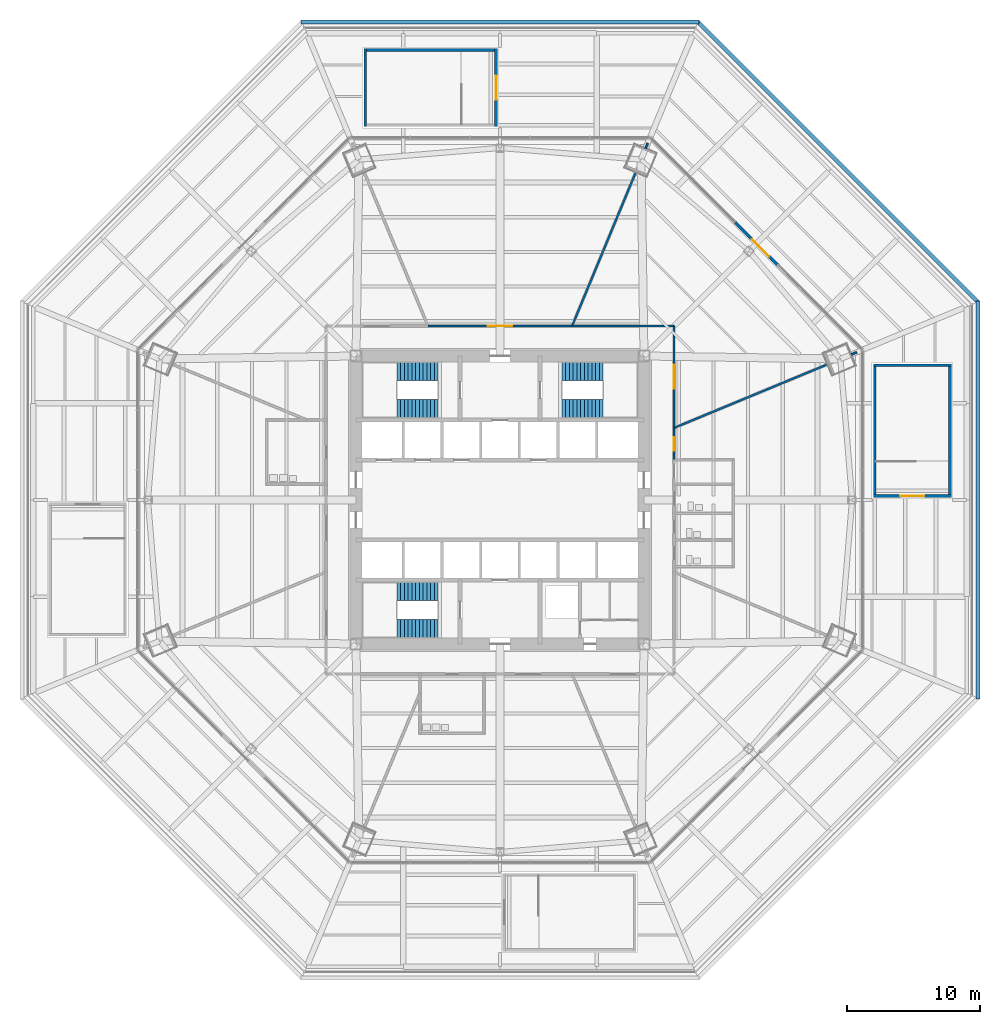
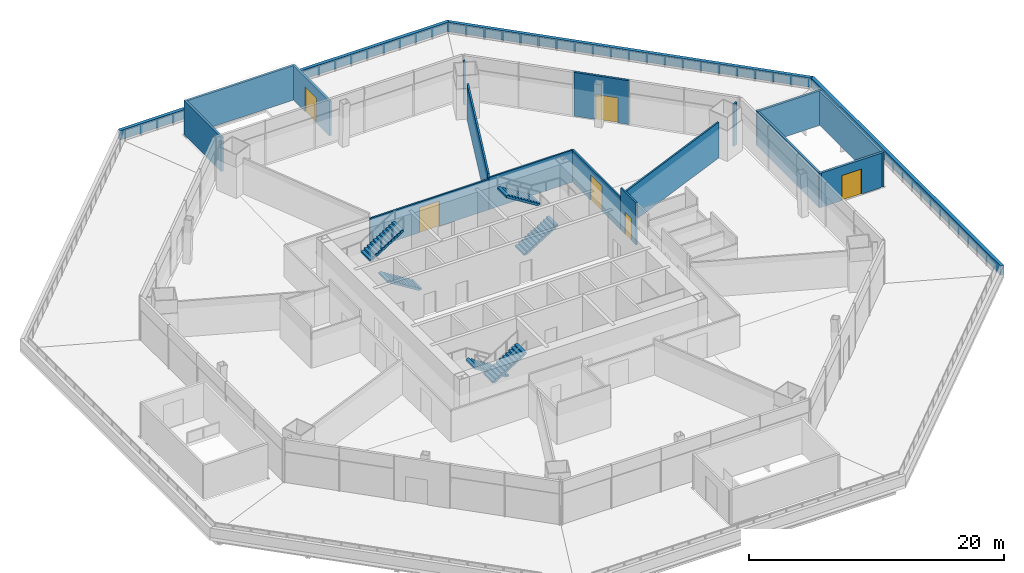
# One storey, part 18 of 25: 19 walls, 6 doors, 6 stair flights, 6 openings, 3 elements without a shape of their own.
"""IFC4 building model written with IfcOpenShell, lengths in metres."""

from ifc_helpers import new_model, si_unit, direction, frame, frame_2d, origin, place, context, subcontext, project, spatial, polyline, rectangle, outline, extrude, material, layer, layer_set, type_object, element, fill, aggregate, save


model = new_model("IFC4")

# Units and contexts
model_context = context("Model", 3, precision=1e-05, world=origin(), true_north=direction((0.0, 1.0)))
body_context = subcontext(model_context, "Body", "Model", "MODEL_VIEW")
ifc_project = project(units=[si_unit("LENGTHUNIT", "METRE"), si_unit("AREAUNIT", "SQUARE_METRE"), si_unit("VOLUMEUNIT", "CUBIC_METRE"), si_unit("PLANEANGLEUNIT", "RADIAN"), si_unit("MASSUNIT", "GRAM", prefix="KILO")], contexts=[model_context])

# Site, building, storey
site_placement = place(None, origin())
site = spatial("IfcSite", under=ifc_project, at=site_placement, CompositionType="ELEMENT")
building_placement = place(site_placement, origin())
building = spatial("IfcBuilding", under=site, at=building_placement, Name="Mashrafa Tower", CompositionType="ELEMENT")
storey_placement = place(building_placement, frame((0.0, 0.0, 28.800048828125)))
storey = spatial("IfcBuildingStorey", under=building, at=storey_placement, Name="L05", CompositionType="ELEMENT", Elevation=28.800048828125)

# Wall, opening, door
ifc_material_1 = material(Name="Gypsum board on steel studs", Category="steel")
ifc_layer_1 = layer(ifc_material_1, 0.14990234375)
ifc_layer_set_1 = layer_set([ifc_layer_1], Name="Corridor partition 150 1 hr")
wall_type_1 = type_object("IfcWallType", Name="Corridor partition 150 1 hr", PredefinedType="PARTITIONING", material=ifc_layer_set_1)
wall_1_placement = place(storey_placement, frame((13.050048828125, 2.9990234375, 0.0), z_axis=(0.0, 0.0, 1.0), x_axis=(0.0, 1.0, 0.0)))
wall_1 = element("IfcWall", 1, at=wall_1_placement, inside=storey, type_object=wall_type_1, Name="Corridor wall L05-027", PredefinedType="PARTITIONING", context=body_context, shape_type="SweptSolid", body=[
    extrude(rectangle(XDim=2.407470703125, YDim=0.14990234375, at=frame_2d((1.20361328125, 0.0))), origin(), (0.0, 0.0, 1.0), 4.034912109375),
])
opening_1_placement = place(wall_1_placement, frame((0.703857421875, 0.0, 0.0)))
opening_1 = element("IfcOpeningElement", 2, at=opening_1_placement, cuts=wall_1, Name="Opening 05.009", PredefinedType="OPENING", context=body_context, shape_type="SweptSolid", body=[
    extrude(rectangle(XDim=1.0, YDim=2.10009765625, at=frame_2d((0.5, 1.050048828125))), frame((0.0, 0.0849609375, 0.0), z_axis=(0.0, -1.0, 0.0), x_axis=(1.0, 0.0, 0.0)), (0.0, 0.0, 1.0), 0.169921875),
])
ifc_material_2 = material(Name="Timber door", Category="wood")
door_type_1 = type_object("IfcDoorType", Name="Door 1000 x 2100", OperationType="USERDEFINED", PredefinedType="DOOR", material=ifc_material_2)
door_1_placement = place(opening_1_placement, frame((1.0, 0.0, 0.0), z_axis=(0.0, 0.0, 1.0), x_axis=(-1.0, 0.0, 0.0)))
door_1 = element("IfcDoor", 3, at=door_1_placement, inside=storey, type_object=door_type_1, Name="Fitness Centre L05 door", OperationType="SINGLE_SWING_LEFT", OverallHeight=2.10009765625, OverallWidth=1.0, PredefinedType="DOOR", context=body_context, shape_type="SweptSolid", body=[
    extrude(rectangle(XDim=1.0, YDim=2.10009765625, at=frame_2d((0.5, 1.050048828125))), frame((0.0, 0.02490234375, 0.0), z_axis=(0.0, -1.0, 0.0), x_axis=(1.0, 0.0, 0.0)), (0.0, 0.0, 1.0), 0.050048828125),
])
fill(opening_1, door_1)

wall_2_placement = place(storey_placement, frame((5.406494140625, 13.050048828125, 0.0), z_axis=(0.0, 0.0, 1.0), x_axis=(-1.0, 0.0, 0.0)))
wall_2 = element("IfcWall", 4, at=wall_2_placement, inside=storey, type_object=wall_type_1, Name="Corridor wall L05-028", PredefinedType="PARTITIONING", context=body_context, shape_type="SweptSolid", body=[
    extrude(rectangle(XDim=10.81298828125, YDim=0.14990234375, at=frame_2d((5.406494140625, 0.0))), origin(), (0.0, 0.0, 1.0), 2.925048828125),
])
opening_2_placement = place(wall_2_placement, frame((4.506591796875, 0.0, 0.0)))
opening_2 = element("IfcOpeningElement", 5, at=opening_2_placement, cuts=wall_2, Name="Opening 05.010", PredefinedType="OPENING", context=body_context, shape_type="SweptSolid", body=[
    extrude(rectangle(XDim=1.800048828125, YDim=2.39990234375, at=frame_2d((0.89990234375, 1.199951171875))), frame((0.0, 0.0849609375, 0.0), z_axis=(0.0, -1.0, 0.0), x_axis=(1.0, 0.0, 0.0)), (0.0, 0.0, 1.0), 0.169921875),
])
ifc_material_3 = material(Name="Timber door", Category="wood")
door_type_2 = type_object("IfcDoorType", Name="Door pair 1800 x 2400", OperationType="DOUBLE_DOOR_SINGLE_SWING", PredefinedType="DOOR", material=ifc_material_3)
door_2_placement = place(opening_2_placement, origin())
door_2 = element("IfcDoor", 6, at=door_2_placement, inside=storey, type_object=door_type_2, Name="Tenant and Resident Lounge L05 door", OperationType="DOUBLE_DOOR_SINGLE_SWING", OverallHeight=2.39990234375, OverallWidth=1.800048828125, PredefinedType="DOOR", context=body_context, shape_type="SweptSolid", body=[
    extrude(rectangle(XDim=1.800048828125, YDim=2.39990234375, at=frame_2d((0.89990234375, 1.199951171875))), frame((0.0, 0.02490234375, 0.0), z_axis=(0.0, -1.0, 0.0), x_axis=(1.0, 0.0, 0.0)), (0.0, 0.0, 1.0), 0.050048828125),
])
fill(opening_2, door_2)

wall_3_placement = place(storey_placement, frame((13.050048828125, 5.404296875, 0.0), z_axis=(0.0, 0.0, 1.0), x_axis=(0.0, 1.0, 0.0)))
wall_3 = element("IfcWall", 7, at=wall_3_placement, inside=storey, type_object=wall_type_1, Name="Corridor wall L05-029", PredefinedType="PARTITIONING", context=body_context, shape_type="SweptSolid", body=[
    extrude(rectangle(XDim=7.645751953125, YDim=0.14990234375, at=frame_2d((3.82275390625, 0.0))), origin(), (0.0, 0.0, 1.0), 3.06494140625),
])
opening_3_placement = place(wall_3_placement, frame((2.9228515625, 0.0, 0.0)))
opening_3 = element("IfcOpeningElement", 8, at=opening_3_placement, cuts=wall_3, Name="Opening 05.011", PredefinedType="OPENING", context=body_context, shape_type="SweptSolid", body=[
    extrude(rectangle(XDim=1.800048828125, YDim=2.39990234375, at=frame_2d((0.89990234375, 1.199951171875))), frame((0.0, 0.0849609375, 0.0), z_axis=(0.0, -1.0, 0.0), x_axis=(1.0, 0.0, 0.0)), (0.0, 0.0, 1.0), 0.169921875),
])
door_3_placement = place(opening_3_placement, origin())
door_3 = element("IfcDoor", 9, at=door_3_placement, inside=storey, type_object=door_type_2, Name="Winter Garden Lounge North-East L05 door", OperationType="DOUBLE_DOOR_SINGLE_SWING", OverallHeight=2.39990234375, OverallWidth=1.800048828125, PredefinedType="DOOR", context=body_context, shape_type="SweptSolid", body=[
    extrude(rectangle(XDim=1.800048828125, YDim=2.39990234375, at=frame_2d((0.89990234375, 1.199951171875))), frame((0.0, 0.02490234375, 0.0), z_axis=(0.0, -1.0, 0.0), x_axis=(1.0, 0.0, 0.0)), (0.0, 0.0, 1.0), 0.050048828125),
])
fill(opening_3, door_3)

# Wall
wall_4_placement = place(storey_placement, frame((13.050048828125, 13.050048828125, 0.0), z_axis=(0.0, 0.0, 1.0), x_axis=(-1.0, 0.0, 0.0)))
element("IfcWall", 10, at=wall_4_placement, inside=storey, type_object=wall_type_1, Name="Corridor wall L05-030", PredefinedType="PARTITIONING", context=body_context, shape_type="SweptSolid", body=[
    extrude(rectangle(XDim=7.645751953125, YDim=0.14990234375, at=frame_2d((3.82275390625, 0.0))), origin(), (0.0, 0.0, 1.0), 3.06494140625),
])

# Wall, opening, door
ifc_material_4 = material(Name="Bronze-framed glazed screen")
ifc_layer_2 = layer(ifc_material_4, 0.199951171875)
ifc_layer_set_2 = layer_set([ifc_layer_2], Name="Glazed door screen 200")
wall_type_2 = type_object("IfcWallType", Name="Glazed door screen 200", PredefinedType="SOLIDWALL", material=ifc_layer_set_2)
wall_5_placement = place(storey_placement, frame((20.81787109375, 17.648681640625, 0.0), z_axis=(0.0, 0.0, 1.0), x_axis=(-0.707106781187, 0.707106781187, 0.0)))
wall_5 = element("IfcWall", 11, at=wall_5_placement, inside=storey, type_object=wall_type_2, Name="Glazed garden door screen L05 north-east", PredefinedType="SOLIDWALL", context=body_context, shape_type="SweptSolid", body=[
    extrude(rectangle(XDim=4.48193359375, YDim=0.199951171875, at=frame_2d((2.240966796875, 0.0))), origin(), (0.0, 0.0, 1.0), 4.199951171875),
])
opening_4_placement = place(wall_5_placement, frame((0.89111328125, 0.0, 0.0)))
opening_4 = element("IfcOpeningElement", 12, at=opening_4_placement, cuts=wall_5, Name="Opening ED4", PredefinedType="OPENING", context=body_context, shape_type="SweptSolid", body=[
    extrude(rectangle(XDim=1.800048828125, YDim=2.39990234375, at=frame_2d((0.89990234375, 1.199951171875))), frame((0.0, 0.10986328125, 0.0), z_axis=(0.0, -1.0, 0.0), x_axis=(1.0, 0.0, 0.0)), (0.0, 0.0, 1.0), 0.219970703125),
])
ifc_material_5 = material(Name="Aluminium-framed glazed door", Category="aluminium")
door_type_3 = type_object("IfcDoorType", Name="Garden door pair 1800 x 2400", OperationType="DOUBLE_DOOR_SINGLE_SWING", PredefinedType="DOOR", material=ifc_material_5)
door_4_placement = place(opening_4_placement, origin())
door_4 = element("IfcDoor", 13, at=door_4_placement, inside=storey, type_object=door_type_3, Name="Garden door L05 north-east", OperationType="SINGLE_SWING_LEFT", OverallHeight=2.39990234375, OverallWidth=1.800048828125, PredefinedType="DOOR", context=body_context, shape_type="SweptSolid", body=[
    extrude(rectangle(XDim=1.800048828125, YDim=2.39990234375, at=frame_2d((0.89990234375, 1.199951171875))), frame((0.0, 0.02490234375, 0.0), z_axis=(0.0, -1.0, 0.0), x_axis=(1.0, 0.0, 0.0)), (0.0, 0.0, 1.0), 0.050048828125),
])
fill(opening_4, door_4)

# Walls
ifc_material_6 = material(Name="Limestone-clad parapet", Category="masonry")
ifc_layer_3 = layer(ifc_material_6, 0.300048828125)
ifc_layer_set_3 = layer_set([ifc_layer_3], Name="Limestone parapet 300")
wall_type_3 = type_object("IfcWallType", Name="Limestone parapet 300", PredefinedType="PARAPET", material=ifc_layer_set_3)
wall_6_placement = place(storey_placement, frame((35.85009765625, -14.91162109375, 0.0), z_axis=(0.0, 0.0, 1.0), x_axis=(0.0, 1.0, 0.0)))
element("IfcWall", 14, at=wall_6_placement, inside=storey, type_object=wall_type_3, Name="Parapet L05 east", PredefinedType="PARAPET", context=body_context, shape_type="SweptSolid", body=[
    extrude(rectangle(XDim=29.8232421875, YDim=0.300048828125, at=frame_2d((14.91162109375, 0.0))), origin(), (0.0, 0.0, 1.0), 0.89990234375),
])
wall_7_placement = place(storey_placement, frame((35.89404296875, 14.8056640625, 0.0), z_axis=(0.0, 0.0, 1.0), x_axis=(-0.707106781187, 0.707106781187, 0.0)))
element("IfcWall", 15, at=wall_7_placement, inside=storey, type_object=wall_type_3, Name="Parapet L05 north-east", PredefinedType="PARAPET", context=body_context, shape_type="SweptSolid", body=[
    extrude(rectangle(XDim=29.823486328125, YDim=0.300048828125, at=frame_2d((14.91162109375, 0.0))), origin(), (0.0, 0.0, 1.0), 0.89990234375),
])
wall_8_placement = place(storey_placement, frame((14.91162109375, 35.85009765625, 0.0), z_axis=(0.0, 0.0, 1.0), x_axis=(-1.0, 0.0, 0.0)))
element("IfcWall", 16, at=wall_8_placement, inside=storey, type_object=wall_type_3, Name="Parapet L05 north", PredefinedType="PARAPET", context=body_context, shape_type="SweptSolid", body=[
    extrude(rectangle(XDim=29.8232421875, YDim=0.300048828125, at=frame_2d((14.91162109375, 0.0))), origin(), (0.0, 0.0, 1.0), 0.89990234375),
])
ifc_material_7 = material(Name="Gypsum board on steel studs", Category="steel")
ifc_layer_4 = layer(ifc_material_7, 0.14990234375)
ifc_layer_set_4 = layer_set([ifc_layer_4], Name="Partition 150")
wall_type_4 = type_object("IfcWallType", Name="Partition 150", PredefinedType="PARTITIONING", material=ifc_layer_set_4)
wall_9_placement = place(storey_placement, frame((26.75, 11.080078125, 0.0), z_axis=(0.0, 0.0, 1.0), x_axis=(-0.924060348039, -0.382246613042, 0.0)))
element("IfcWall", 17, at=wall_9_placement, inside=storey, type_object=wall_type_4, Name="Partition wall L05-045", PredefinedType="PARTITIONING", context=body_context, shape_type="SweptSolid", body=[
    extrude(rectangle(XDim=0.41015625, YDim=0.14990234375, at=frame_2d((0.205078125, 0.0))), origin(), (0.0, 0.0, 1.0), 4.034912109375),
])
for number, where, z_axis, x_axis, name in (
    (18, (24.553466796875, 10.17041015625, 0.0), (0.0, 0.0, 1.0), (-0.923878940705, -0.382684861109, 0.0), "Partition wall L05-046"),
    (19, (5.405517578125, 13.050048828125, 0.0), (0.0, 0.0, 1.0), (0.382684861109, 0.923878940705, 0.0), "Partition wall L05-049"),
):
    element("IfcWall", number, at=place(storey_placement, frame(where, z_axis=z_axis, x_axis=x_axis)), inside=storey, type_object=wall_type_4, Name=name, PredefinedType="PARTITIONING", context=body_context, shape_type="SweptSolid", body=[
        extrude(rectangle(XDim=12.451171875, YDim=0.14990234375, at=frame_2d((6.2255859375, 0.0))), origin(), (0.0, 0.0, 1.0), 3.4228515625),
    ])
wall_10_placement = place(storey_placement, frame((10.92333984375, 26.37109375, 0.0), z_axis=(0.0, 0.0, 1.0), x_axis=(0.382246613042, 0.924060348039, 0.0)))
element("IfcWall", 20, at=wall_10_placement, inside=storey, type_object=wall_type_4, Name="Partition wall L05-050", PredefinedType="PARTITIONING", context=body_context, shape_type="SweptSolid", body=[
    extrude(rectangle(XDim=0.41015625, YDim=0.14990234375, at=frame_2d((0.205078125, 0.0))), origin(), (0.0, 0.0, 1.0), 4.034912109375),
])

# Wall, opening, door
ifc_material_8 = material(Name="Concrete C40/50", Category="concrete")
ifc_layer_5 = layer(ifc_material_8, 0.169921875)
ifc_material_9 = material(Name="Limestone facing", Category="masonry")
ifc_layer_6 = layer(ifc_material_9, 0.030029296875)
ifc_layer_set_5 = layer_set([ifc_layer_5, ifc_layer_6], Name="Stair head-house wall 200")
wall_type_5 = type_object("IfcWallType", Name="Stair head-house wall 200", PredefinedType="SOLIDWALL", material=ifc_layer_set_5)
wall_11_placement = place(storey_placement, frame((28.0, 0.300048828125, 0.0), z_axis=(0.0, 0.0, 1.0), x_axis=(1.0, 0.0, 0.0)))
wall_11 = element("IfcWall", 21, at=wall_11_placement, inside=storey, type_object=wall_type_5, Name="Stair P1 head-house wall south", PredefinedType="SOLIDWALL", context=body_context, shape_type="SweptSolid", body=[
    extrude(rectangle(XDim=5.85009765625, YDim=0.199951171875, at=frame_2d((2.925048828125, 0.0))), origin(), (0.0, 0.0, 1.0), 3.300048828125),
])
opening_5_placement = place(wall_11_placement, frame((2.02490234375, 0.0, 0.0)))
opening_5 = element("IfcOpeningElement", 22, at=opening_5_placement, cuts=wall_11, Name="Opening ED2", PredefinedType="OPENING", context=body_context, shape_type="SweptSolid", body=[
    extrude(rectangle(XDim=1.800048828125, YDim=2.39990234375, at=frame_2d((0.89990234375, 1.199951171875))), frame((0.0, 0.10986328125, 0.0), z_axis=(0.0, -1.0, 0.0), x_axis=(1.0, 0.0, 0.0)), (0.0, 0.0, 1.0), 0.219970703125),
])
ifc_material_10 = material(Name="Steel exit door", Category="steel")
door_type_4 = type_object("IfcDoorType", Name="Exit discharge door pair 1800 x 2400", OperationType="DOUBLE_DOOR_SINGLE_SWING", PredefinedType="DOOR", material=ifc_material_10)
door_5_placement = place(opening_5_placement, origin())
door_5 = element("IfcDoor", 23, at=door_5_placement, inside=storey, type_object=door_type_4, Name="Stair P1 roof garden exit", OperationType="SINGLE_SWING_LEFT", OverallHeight=2.39990234375, OverallWidth=1.800048828125, PredefinedType="DOOR", context=body_context, shape_type="SweptSolid", body=[
    extrude(rectangle(XDim=1.800048828125, YDim=2.39990234375, at=frame_2d((0.89990234375, 1.199951171875))), frame((0.0, 0.02490234375, 0.0), z_axis=(0.0, -1.0, 0.0), x_axis=(1.0, 0.0, 0.0)), (0.0, 0.0, 1.0), 0.050048828125),
])
fill(opening_5, door_5)

# Walls
wall_12_placement = place(storey_placement, frame((33.75, 0.199951171875, 0.0), z_axis=(0.0, 0.0, 1.0), x_axis=(0.0, 1.0, 0.0)))
element("IfcWall", 24, at=wall_12_placement, inside=storey, type_object=wall_type_5, Name="Stair P1 head-house wall east", PredefinedType="SOLIDWALL", context=body_context, shape_type="SweptSolid", body=[
    extrude(rectangle(XDim=10.0, YDim=0.199951171875, at=frame_2d((5.0, 0.0))), origin(), (0.0, 0.0, 1.0), 3.300048828125),
])
wall_13_placement = place(storey_placement, frame((33.85009765625, 10.10009765625, 0.0), z_axis=(0.0, 0.0, 1.0), x_axis=(-1.0, 0.0, 0.0)))
element("IfcWall", 25, at=wall_13_placement, inside=storey, type_object=wall_type_5, Name="Stair P1 head-house wall north", PredefinedType="SOLIDWALL", context=body_context, shape_type="SweptSolid", body=[
    extrude(rectangle(XDim=5.85009765625, YDim=0.199951171875, at=frame_2d((2.925048828125, 0.0))), origin(), (0.0, 0.0, 1.0), 3.300048828125),
])
wall_14_placement = place(storey_placement, frame((28.10009765625, 10.199951171875, 0.0), z_axis=(0.0, 0.0, 1.0), x_axis=(0.0, -1.0, 0.0)))
element("IfcWall", 26, at=wall_14_placement, inside=storey, type_object=wall_type_5, Name="Stair P1 head-house wall west", PredefinedType="SOLIDWALL", context=body_context, shape_type="SweptSolid", body=[
    extrude(rectangle(XDim=10.0, YDim=0.199951171875, at=frame_2d((5.0, 0.0))), origin(), (0.0, 0.0, 1.0), 3.300048828125),
])

# Wall, opening, door
wall_15_placement = place(storey_placement, frame((-0.300048828125, 28.0, 0.0), z_axis=(0.0, 0.0, 1.0), x_axis=(0.0, 1.0, 0.0)))
wall_15 = element("IfcWall", 27, at=wall_15_placement, inside=storey, type_object=wall_type_5, Name="Stair P2 head-house wall east", PredefinedType="SOLIDWALL", context=body_context, shape_type="SweptSolid", body=[
    extrude(rectangle(XDim=5.85009765625, YDim=0.199951171875, at=frame_2d((2.925048828125, 0.0))), origin(), (0.0, 0.0, 1.0), 3.300048828125),
])
opening_6_placement = place(wall_15_placement, frame((2.02490234375, 0.0, 0.0)))
opening_6 = element("IfcOpeningElement", 28, at=opening_6_placement, cuts=wall_15, Name="Opening ED2", PredefinedType="OPENING", context=body_context, shape_type="SweptSolid", body=[
    extrude(rectangle(XDim=1.800048828125, YDim=2.39990234375, at=frame_2d((0.89990234375, 1.199951171875))), frame((0.0, 0.10986328125, 0.0), z_axis=(0.0, -1.0, 0.0), x_axis=(1.0, 0.0, 0.0)), (0.0, 0.0, 1.0), 0.219970703125),
])
door_6_placement = place(opening_6_placement, origin())
door_6 = element("IfcDoor", 29, at=door_6_placement, inside=storey, type_object=door_type_4, Name="Stair P2 roof garden exit", OperationType="SINGLE_SWING_LEFT", OverallHeight=2.39990234375, OverallWidth=1.800048828125, PredefinedType="DOOR", context=body_context, shape_type="SweptSolid", body=[
    extrude(rectangle(XDim=1.800048828125, YDim=2.39990234375, at=frame_2d((0.89990234375, 1.199951171875))), frame((0.0, 0.02490234375, 0.0), z_axis=(0.0, -1.0, 0.0), x_axis=(1.0, 0.0, 0.0)), (0.0, 0.0, 1.0), 0.050048828125),
])
fill(opening_6, door_6)

# Walls
wall_16_placement = place(storey_placement, frame((-0.199951171875, 33.75, 0.0), z_axis=(0.0, 0.0, 1.0), x_axis=(-1.0, 0.0, 0.0)))
element("IfcWall", 30, at=wall_16_placement, inside=storey, type_object=wall_type_5, Name="Stair P2 head-house wall north", PredefinedType="SOLIDWALL", context=body_context, shape_type="SweptSolid", body=[
    extrude(rectangle(XDim=10.0, YDim=0.199951171875, at=frame_2d((5.0, 0.0))), origin(), (0.0, 0.0, 1.0), 3.300048828125),
])
wall_17_placement = place(storey_placement, frame((-10.10009765625, 33.85009765625, 0.0), z_axis=(0.0, 0.0, 1.0), x_axis=(0.0, -1.0, 0.0)))
element("IfcWall", 31, at=wall_17_placement, inside=storey, type_object=wall_type_5, Name="Stair P2 head-house wall west", PredefinedType="SOLIDWALL", context=body_context, shape_type="SweptSolid", body=[
    extrude(rectangle(XDim=5.85009765625, YDim=0.199951171875, at=frame_2d((2.925048828125, 0.0))), origin(), (0.0, 0.0, 1.0), 3.300048828125),
])

# Stair, stair flights
ifc_material_11 = material(Name="Exit stair 1400")
stair_type = type_object("IfcStairType", Name="Exit stair 1400", PredefinedType="HALF_TURN_STAIR", material=ifc_material_11)
stair_1_placement = place(storey_placement, origin())
stair_1 = element("IfcStair", 32, at=stair_1_placement, inside=storey, type_object=stair_type, Name="Stair S1 L05", PredefinedType="HALF_TURN_STAIR")
ifc_material_12 = material(Name="Concrete C32/40", Category="concrete")
stair_flight_type = type_object("IfcStairFlightType", Name="Stair flight 1400", PredefinedType="STRAIGHT", material=ifc_material_12)
stair_flight_1_placement = place(storey_placement, frame((-4.64990234375, 6.85009765625, 0.0), z_axis=(0.0, 0.0, 1.0), x_axis=(-1.0, 0.0, 0.0)))
stair_flight_1 = element("IfcStairFlight", 33, at=stair_flight_1_placement, type_object=stair_flight_type, Name="S1 flight 1", NumberOfRisers=12, NumberOfTreads=11, PredefinedType="STRAIGHT", RiserHeight=0.175, TreadLength=0.28, context=body_context, shape_type="SweptSolid", body=[
    extrude(outline(polyline([(0.0, 0.0), (0.0, 0.175048828125), (0.280029296875, 0.175048828125), (0.280029296875, 0.35009765625), (0.56005859375, 0.35009765625), (0.56005859375, 0.52490234375), (0.840087890625, 0.52490234375), (0.840087890625, 0.699951171875), (1.1201171875, 0.699951171875), (1.1201171875, 0.875), (1.39990234375, 0.875), (1.39990234375, 1.050048828125), (1.679931640625, 1.050048828125), (1.679931640625, 1.22509765625), (1.9599609375, 1.22509765625), (1.9599609375, 1.39990234375), (2.239990234375, 1.39990234375), (2.239990234375, 1.574951171875), (2.52001953125, 1.574951171875), (2.52001953125, 1.75), (2.800048828125, 1.75), (2.800048828125, 1.925048828125), (3.080078125, 1.925048828125), (3.080078125, 2.10009765625), (3.080078125, 1.748291015625), (0.28271484375, 0.0), (0.0, 0.0)])), frame((0.0, 0.699951171875, 0.0), z_axis=(0.0, -1.0, 0.0), x_axis=(1.0, 0.0, 0.0)), (0.0, 0.0, 1.0), 1.39990234375),
])
stair_flight_2_placement = place(storey_placement, frame((-7.72998046875, 9.64990234375, 2.099853515625), z_axis=(0.0, 0.0, 1.0), x_axis=(1.0, 0.0, 0.0)))
stair_flight_2 = element("IfcStairFlight", 34, at=stair_flight_2_placement, type_object=stair_flight_type, Name="S1 flight 2", NumberOfRisers=12, NumberOfTreads=11, PredefinedType="STRAIGHT", RiserHeight=0.175, TreadLength=0.28, context=body_context, shape_type="SweptSolid", body=[
    extrude(outline(polyline([(0.0, 0.0), (0.0, 0.175048828125), (0.280029296875, 0.175048828125), (0.280029296875, 0.35009765625), (0.56005859375, 0.35009765625), (0.56005859375, 0.52490234375), (0.840087890625, 0.52490234375), (0.840087890625, 0.699951171875), (1.1201171875, 0.699951171875), (1.1201171875, 0.875), (1.39990234375, 0.875), (1.39990234375, 1.050048828125), (1.679931640625, 1.050048828125), (1.679931640625, 1.22509765625), (1.9599609375, 1.22509765625), (1.9599609375, 1.39990234375), (2.239990234375, 1.39990234375), (2.239990234375, 1.574951171875), (2.52001953125, 1.574951171875), (2.52001953125, 1.75), (2.800048828125, 1.75), (2.800048828125, 1.925048828125), (3.080078125, 1.925048828125), (3.080078125, 2.10009765625), (3.080078125, 1.748291015625), (0.28271484375, 0.0), (0.0, 0.0)])), frame((0.0, 0.699951171875, 0.0), z_axis=(0.0, -1.0, 0.0), x_axis=(1.0, 0.0, 0.0)), (0.0, 0.0, 1.0), 1.39990234375),
])
aggregate(stair_1, [stair_flight_1, stair_flight_2])

stair_2_placement = place(storey_placement, origin())
stair_2 = element("IfcStair", 35, at=stair_2_placement, inside=storey, type_object=stair_type, Name="Stair S2 L05", PredefinedType="HALF_TURN_STAIR")
stair_flight_3_placement = place(storey_placement, frame((4.64990234375, 6.85009765625, 0.0), z_axis=(0.0, 0.0, 1.0), x_axis=(1.0, 0.0, 0.0)))
stair_flight_3 = element("IfcStairFlight", 36, at=stair_flight_3_placement, type_object=stair_flight_type, Name="S2 flight 1", NumberOfRisers=12, NumberOfTreads=11, PredefinedType="STRAIGHT", RiserHeight=0.175, TreadLength=0.28, context=body_context, shape_type="SweptSolid", body=[
    extrude(outline(polyline([(0.0, 0.0), (0.0, 0.175048828125), (0.280029296875, 0.175048828125), (0.280029296875, 0.35009765625), (0.56005859375, 0.35009765625), (0.56005859375, 0.52490234375), (0.840087890625, 0.52490234375), (0.840087890625, 0.699951171875), (1.1201171875, 0.699951171875), (1.1201171875, 0.875), (1.39990234375, 0.875), (1.39990234375, 1.050048828125), (1.679931640625, 1.050048828125), (1.679931640625, 1.22509765625), (1.9599609375, 1.22509765625), (1.9599609375, 1.39990234375), (2.239990234375, 1.39990234375), (2.239990234375, 1.574951171875), (2.52001953125, 1.574951171875), (2.52001953125, 1.75), (2.800048828125, 1.75), (2.800048828125, 1.925048828125), (3.080078125, 1.925048828125), (3.080078125, 2.10009765625), (3.080078125, 1.748291015625), (0.28271484375, 0.0), (0.0, 0.0)])), frame((0.0, 0.699951171875, 0.0), z_axis=(0.0, -1.0, 0.0), x_axis=(1.0, 0.0, 0.0)), (0.0, 0.0, 1.0), 1.39990234375),
])
stair_flight_4_placement = place(storey_placement, frame((7.72998046875, 9.64990234375, 2.099853515625), z_axis=(0.0, 0.0, 1.0), x_axis=(-1.0, 0.0, 0.0)))
stair_flight_4 = element("IfcStairFlight", 37, at=stair_flight_4_placement, type_object=stair_flight_type, Name="S2 flight 2", NumberOfRisers=12, NumberOfTreads=11, PredefinedType="STRAIGHT", RiserHeight=0.175, TreadLength=0.28, context=body_context, shape_type="SweptSolid", body=[
    extrude(outline(polyline([(0.0, 0.0), (0.0, 0.175048828125), (0.280029296875, 0.175048828125), (0.280029296875, 0.35009765625), (0.56005859375, 0.35009765625), (0.56005859375, 0.52490234375), (0.840087890625, 0.52490234375), (0.840087890625, 0.699951171875), (1.1201171875, 0.699951171875), (1.1201171875, 0.875), (1.39990234375, 0.875), (1.39990234375, 1.050048828125), (1.679931640625, 1.050048828125), (1.679931640625, 1.22509765625), (1.9599609375, 1.22509765625), (1.9599609375, 1.39990234375), (2.239990234375, 1.39990234375), (2.239990234375, 1.574951171875), (2.52001953125, 1.574951171875), (2.52001953125, 1.75), (2.800048828125, 1.75), (2.800048828125, 1.925048828125), (3.080078125, 1.925048828125), (3.080078125, 2.10009765625), (3.080078125, 1.748291015625), (0.28271484375, 0.0), (0.0, 0.0)])), frame((0.0, 0.699951171875, 0.0), z_axis=(0.0, -1.0, 0.0), x_axis=(1.0, 0.0, 0.0)), (0.0, 0.0, 1.0), 1.39990234375),
])
aggregate(stair_2, [stair_flight_3, stair_flight_4])

stair_3_placement = place(storey_placement, origin())
stair_3 = element("IfcStair", 38, at=stair_3_placement, inside=storey, type_object=stair_type, Name="Stair S3 L05", PredefinedType="HALF_TURN_STAIR")
stair_flight_5_placement = place(storey_placement, frame((-4.64990234375, -6.85009765625, 0.0), z_axis=(0.0, 0.0, 1.0), x_axis=(-1.0, 0.0, 0.0)))
stair_flight_5 = element("IfcStairFlight", 39, at=stair_flight_5_placement, type_object=stair_flight_type, Name="S3 flight 1", NumberOfRisers=12, NumberOfTreads=11, PredefinedType="STRAIGHT", RiserHeight=0.175, TreadLength=0.28, context=body_context, shape_type="SweptSolid", body=[
    extrude(outline(polyline([(0.0, 0.0), (0.0, 0.175048828125), (0.280029296875, 0.175048828125), (0.280029296875, 0.35009765625), (0.56005859375, 0.35009765625), (0.56005859375, 0.52490234375), (0.840087890625, 0.52490234375), (0.840087890625, 0.699951171875), (1.1201171875, 0.699951171875), (1.1201171875, 0.875), (1.39990234375, 0.875), (1.39990234375, 1.050048828125), (1.679931640625, 1.050048828125), (1.679931640625, 1.22509765625), (1.9599609375, 1.22509765625), (1.9599609375, 1.39990234375), (2.239990234375, 1.39990234375), (2.239990234375, 1.574951171875), (2.52001953125, 1.574951171875), (2.52001953125, 1.75), (2.800048828125, 1.75), (2.800048828125, 1.925048828125), (3.080078125, 1.925048828125), (3.080078125, 2.10009765625), (3.080078125, 1.748291015625), (0.28271484375, 0.0), (0.0, 0.0)])), frame((0.0, 0.699951171875, 0.0), z_axis=(0.0, -1.0, 0.0), x_axis=(1.0, 0.0, 0.0)), (0.0, 0.0, 1.0), 1.39990234375),
])
stair_flight_6_placement = place(storey_placement, frame((-7.72998046875, -9.64990234375, 2.099853515625), z_axis=(0.0, 0.0, 1.0), x_axis=(1.0, 0.0, 0.0)))
stair_flight_6 = element("IfcStairFlight", 40, at=stair_flight_6_placement, type_object=stair_flight_type, Name="S3 flight 2", NumberOfRisers=12, NumberOfTreads=11, PredefinedType="STRAIGHT", RiserHeight=0.175, TreadLength=0.28, context=body_context, shape_type="SweptSolid", body=[
    extrude(outline(polyline([(0.0, 0.0), (0.0, 0.175048828125), (0.280029296875, 0.175048828125), (0.280029296875, 0.35009765625), (0.56005859375, 0.35009765625), (0.56005859375, 0.52490234375), (0.840087890625, 0.52490234375), (0.840087890625, 0.699951171875), (1.1201171875, 0.699951171875), (1.1201171875, 0.875), (1.39990234375, 0.875), (1.39990234375, 1.050048828125), (1.679931640625, 1.050048828125), (1.679931640625, 1.22509765625), (1.9599609375, 1.22509765625), (1.9599609375, 1.39990234375), (2.239990234375, 1.39990234375), (2.239990234375, 1.574951171875), (2.52001953125, 1.574951171875), (2.52001953125, 1.75), (2.800048828125, 1.75), (2.800048828125, 1.925048828125), (3.080078125, 1.925048828125), (3.080078125, 2.10009765625), (3.080078125, 1.748291015625), (0.28271484375, 0.0), (0.0, 0.0)])), frame((0.0, 0.699951171875, 0.0), z_axis=(0.0, -1.0, 0.0), x_axis=(1.0, 0.0, 0.0)), (0.0, 0.0, 1.0), 1.39990234375),
])
aggregate(stair_3, [stair_flight_5, stair_flight_6])

save(model, "model.ifc")
